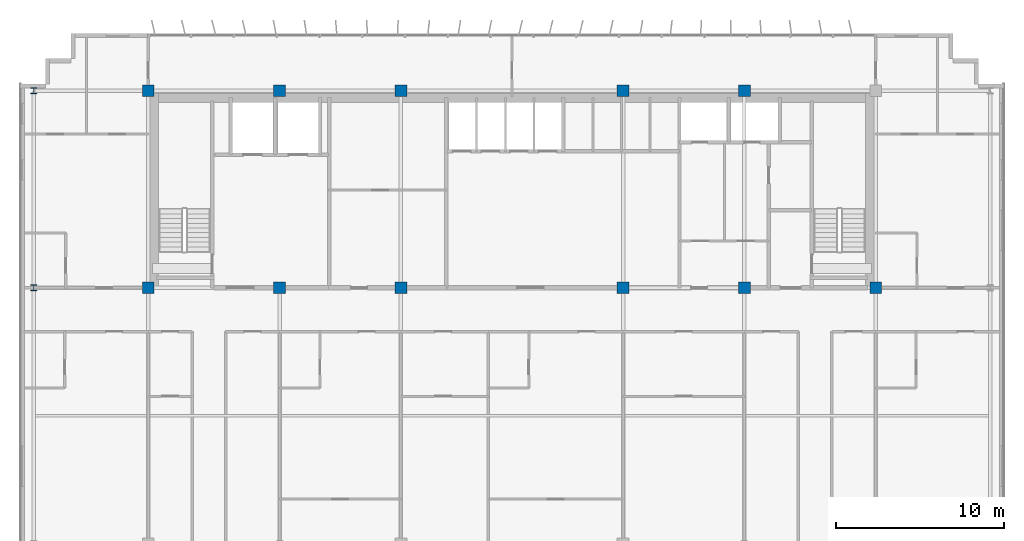
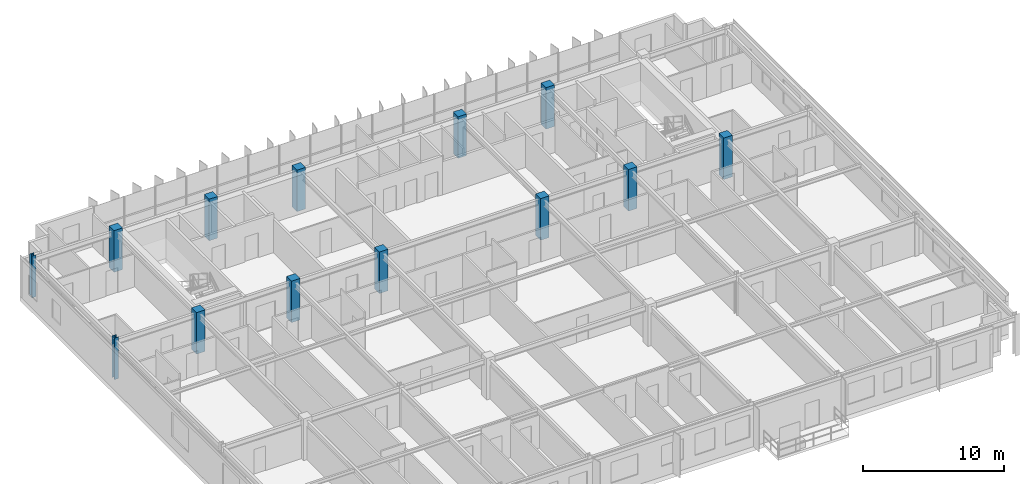
# One storey, part 3 of 23: 13 columns.
"""IFC4 building model written with IfcOpenShell, lengths in metres."""

from ifc_helpers import new_model, si_unit, direction, frame, origin, origin_2d, place, context, subcontext, project, spatial, rectangle, i_section, extrude, source, transform, mapped, material, material_profile, profile_set, type_object, element, save


model = new_model("IFC4")

# Units and contexts
model_context = context("Model", 3, precision=1e-05, world=origin(), true_north=direction((0.0, 1.0)))
body_context = subcontext(model_context, "Body", "Model", "MODEL_VIEW")
ifc_project = project(units=[si_unit("LENGTHUNIT", "METRE"), si_unit("AREAUNIT", "SQUARE_METRE"), si_unit("VOLUMEUNIT", "CUBIC_METRE"), si_unit("PLANEANGLEUNIT", "RADIAN"), si_unit("MASSUNIT", "GRAM", prefix="KILO")], contexts=[model_context])

# Site, building, storey
site_placement = place(None, origin())
site = spatial("IfcSite", under=ifc_project, at=site_placement, CompositionType="ELEMENT")
building_placement = place(site_placement, origin())
building = spatial("IfcBuilding", under=site, at=building_placement, Name="Trelvane Seafront Commons", CompositionType="ELEMENT")
storey_placement = place(building_placement, frame((0.0, 0.0, 204.89990234375)))
storey = spatial("IfcBuildingStorey", under=building, at=storey_placement, Name="L53", CompositionType="ELEMENT", Elevation=204.89990234375)

# Columns
ifc_material_1 = material(Name="Concrete C50/60", Category="concrete")
ifc_material_profile_1 = material_profile(ifc_material_1, rectangle(XDim=0.699951171875, YDim=0.699951171875, at=origin_2d()), Name="RC-700x700")
ifc_profile_set_1 = profile_set([ifc_material_profile_1], Name="Concrete C50/60")
column_type_1 = type_object("IfcColumnType", Name="STR-COL-RC700", PredefinedType="COLUMN", material=ifc_profile_set_1)
shared_shape_1 = source(origin(), body_context, "Body", "SweptSolid", [
    extrude(rectangle(XDim=0.699951171875, YDim=0.699951171875, at=origin_2d()), origin(), (0.0, 0.0, 1.0), 3.60009765625),
])
for number, where, z_axis, x_axis, name in (
    (1, (15.60009765625, 33.39990234375, 0.0), (0.0, 0.0, 1.0), (1.0, 0.0, 0.0), "L53 Column TC-CS15.6"),
    (2, (15.60009765625, 45.10009765625, 0.0), (0.0, 0.0, 1.0), (1.0, 0.0, 0.0), "L53 Column TC-CN15.6"),
    (3, (23.39990234375, 33.39990234375, 0.0), (0.0, 0.0, 1.0), (1.0, 0.0, 0.0), "L53 Column TC-CS23.4"),
    (4, (23.39990234375, 45.10009765625, 0.0), (0.0, 0.0, 1.0), (1.0, 0.0, 0.0), "L53 Column TC-CN23.4"),
    (5, (30.60009765625, 33.39990234375, 0.0), (0.0, 0.0, 1.0), (1.0, 0.0, 0.0), "L53 Column TC-CS30.6"),
    (6, (30.60009765625, 45.10009765625, 0.0), (0.0, 0.0, 1.0), (1.0, 0.0, 0.0), "L53 Column TC-CN30.6"),
    (7, (43.800048828125, 33.39990234375, 0.0), (0.0, 0.0, 1.0), (1.0, 0.0, 0.0), "L53 Column TC-CS43.8"),
    (8, (43.800048828125, 45.10009765625, 0.0), (0.0, 0.0, 1.0), (1.0, 0.0, 0.0), "L53 Column TC-CN43.8"),
    (9, (51.0, 33.39990234375, 0.0), (0.0, 0.0, 1.0), (1.0, 0.0, 0.0), "L53 Column TC-CS51.0"),
    (10, (51.0, 45.10009765625, 0.0), (0.0, 0.0, 1.0), (1.0, 0.0, 0.0), "L53 Column TC-CN51.0"),
    (11, (58.800048828125, 33.39990234375, 0.0), (0.0, 0.0, 1.0), (1.0, 0.0, 0.0), "L53 Column TC-CS58.8"),
):
    element("IfcColumn", number, at=place(storey_placement, frame(where, z_axis=z_axis, x_axis=x_axis)), inside=storey, type_object=column_type_1, Name=name, PredefinedType="COLUMN", context=body_context, shape_type="MappedRepresentation", body=[
        mapped(shared_shape_1, transform((0.0, 0.0, 0.0), x_axis=(1.0, 0.0, 0.0), y_axis=(0.0, 1.0, 0.0), z_axis=(0.0, 0.0, 1.0), scale=1.0)),
    ])
ifc_material_2 = material(Name="Steel SM355 (S355)", Category="steel")
ifc_material_profile_2 = material_profile(ifc_material_2, i_section(OverallWidth=0.35009765625, OverallDepth=0.35009765625, WebThickness=0.01806640625, FlangeThickness=0.028076171875, at=origin_2d()), Name="HD-350x350x18x28")
ifc_profile_set_2 = profile_set([ifc_material_profile_2], Name="Steel SM355 (S355)")
column_type_2 = type_object("IfcColumnType", Name="STR-COL-HD350", PredefinedType="COLUMN", material=ifc_profile_set_2)
shared_shape_2 = source(origin(), body_context, "Body", "SweptSolid", [
    extrude(i_section(OverallWidth=0.35009765625, OverallDepth=0.35009765625, WebThickness=0.01806640625, FlangeThickness=0.028076171875, at=origin_2d()), origin(), (0.0, 0.0, 1.0), 3.60009765625),
])
for number, where, z_axis, x_axis, name in (
    (12, (8.800048828125, 33.39990234375, 0.0), (0.0, 0.0, 1.0), (1.0, 0.0, 0.0), "L53 Column TC-CS8.8"),
    (13, (8.800048828125, 45.10009765625, 0.0), (0.0, 0.0, 1.0), (1.0, 0.0, 0.0), "L53 Column TC-CN8.8"),
):
    element("IfcColumn", number, at=place(storey_placement, frame(where, z_axis=z_axis, x_axis=x_axis)), inside=storey, type_object=column_type_2, Name=name, PredefinedType="COLUMN", context=body_context, shape_type="MappedRepresentation", body=[
        mapped(shared_shape_2, transform((0.0, 0.0, 0.0), x_axis=(1.0, 0.0, 0.0), y_axis=(0.0, 1.0, 0.0), z_axis=(0.0, 0.0, 1.0), scale=1.0)),
    ])

save(model, "model.ifc")
